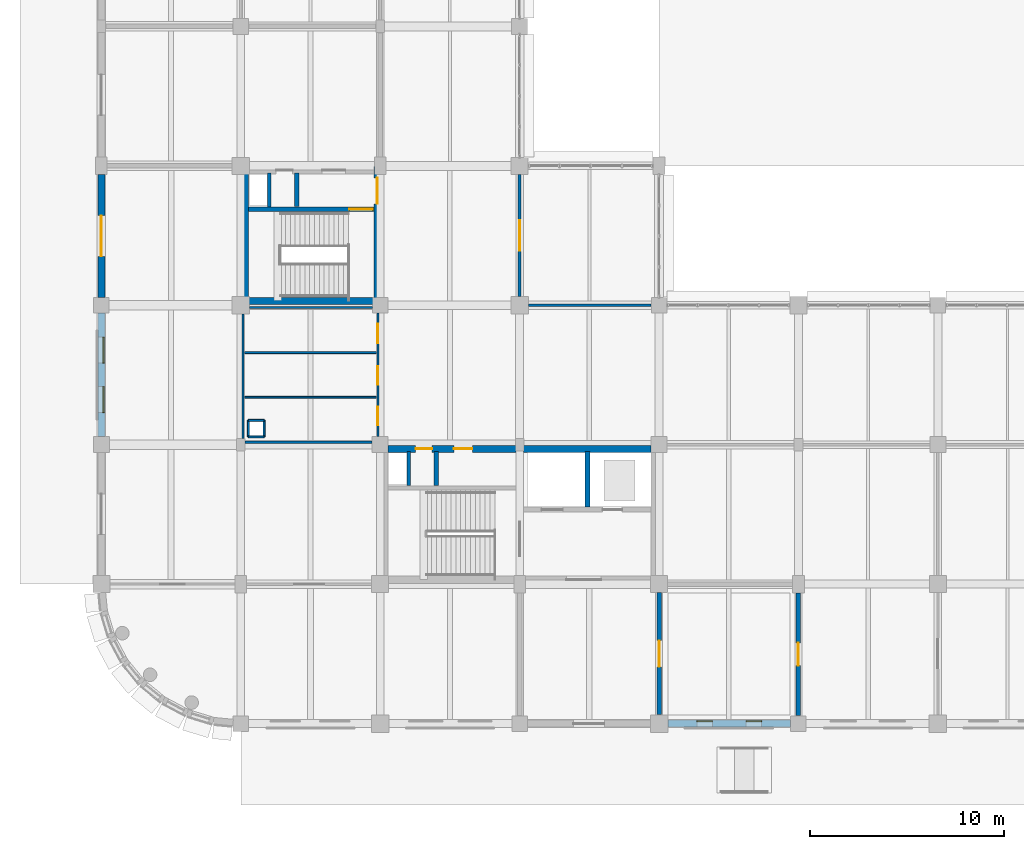
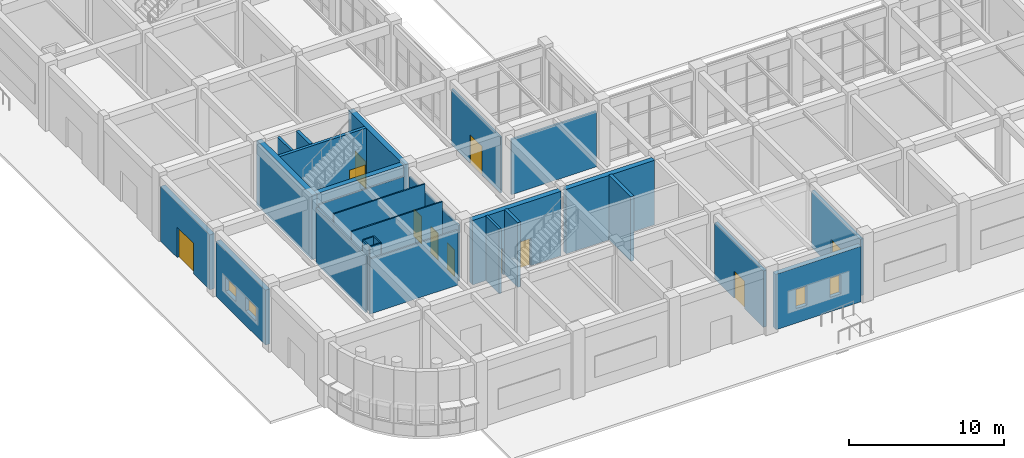
# One storey, part 134 of 160: 28 walls, 11 doors, 4 windows, 15 openings.
"""IFC4 building model written with IfcOpenShell, lengths in metres."""

from ifc_helpers import new_model, si_unit, direction, frame, frame_2d, origin, place, context, subcontext, project, spatial, rectangle, extrude, material, layer, layer_set, type_object, element, fill, save


model = new_model("IFC4")

# Units and contexts
model_context = context("Model", 3, precision=1e-05, world=origin(), true_north=direction((0.0, 1.0)))
body_context = subcontext(model_context, "Body", "Model", "MODEL_VIEW")
ifc_project = project(units=[si_unit("LENGTHUNIT", "METRE"), si_unit("AREAUNIT", "SQUARE_METRE"), si_unit("VOLUMEUNIT", "CUBIC_METRE"), si_unit("PLANEANGLEUNIT", "RADIAN"), si_unit("MASSUNIT", "GRAM", prefix="KILO")], contexts=[model_context])

# Site, building, storey
site_placement = place(None, origin())
site = spatial("IfcSite", under=ifc_project, at=site_placement, CompositionType="ELEMENT")
building_placement = place(site_placement, origin())
building = spatial("IfcBuilding", under=site, at=building_placement, Name="Thalmaran Polytechnic", CompositionType="ELEMENT")
storey_placement = place(building_placement, origin())
storey = spatial("IfcBuildingStorey", under=building, at=storey_placement, Name="L00", CompositionType="ELEMENT", Elevation=0.0)

# Wall, openings, windows
ifc_material_1 = material(Name="Precast concrete C40/50", Category="concrete")
ifc_layer_1 = layer(ifc_material_1, 0.360107421875, Name="Precast concrete C40/50")
ifc_layer_set_1 = layer_set([ifc_layer_1], Name="Precast concrete C40/50")
wall_type_1 = type_object("IfcWallType", Name="WL-EW01", PredefinedType="STANDARD", material=ifc_layer_set_1)
wall_1_placement = place(storey_placement, frame((0.0, 14.81005859375, 0.0), z_axis=(0.0, 0.0, 1.0), x_axis=(0.0, 1.0, 0.0)))
wall_1 = element("IfcWall", 1, at=wall_1_placement, inside=storey, type_object=wall_type_1, Name="Exterior Precast Facade Wall L00-003", PredefinedType="STANDARD", context=body_context, shape_type="SweptSolid", body=[
    extrude(rectangle(XDim=6.389892578125, YDim=0.360107421875, at=frame_2d((3.19482421875, 0.0))), origin(), (0.0, 0.0, 1.0), 4.3349609375),
])
opening_1_placement = place(wall_1_placement, frame((1.241943359375, 0.0, 1.14990234375)))
opening_1 = element("IfcOpeningElement", 2, at=opening_1_placement, cuts=wall_1, Name="Opening PW15", PredefinedType="OPENING", context=body_context, shape_type="SweptSolid", body=[
    extrude(rectangle(XDim=1.35009765625, YDim=1.10009765625, at=frame_2d((0.675048828125, 0.550048828125))), frame((0.0, 0.18994140625, 0.0), z_axis=(0.0, -1.0, 0.0), x_axis=(1.0, 0.0, 0.0)), (0.0, 0.0, 1.0), 0.380126953125),
])
opening_2_placement = place(wall_1_placement, frame((3.798095703125, 0.0, 1.14990234375)))
opening_2 = element("IfcOpeningElement", 3, at=opening_2_placement, cuts=wall_1, Name="Opening PW15", PredefinedType="OPENING", context=body_context, shape_type="SweptSolid", body=[
    extrude(rectangle(XDim=1.35009765625, YDim=1.10009765625, at=frame_2d((0.675048828125, 0.550048828125))), frame((0.0, 0.18994140625, 0.0), z_axis=(0.0, -1.0, 0.0), x_axis=(1.0, 0.0, 0.0)), (0.0, 0.0, 1.0), 0.380126953125),
])
ifc_material_2 = material(Name="Thermally broken aluminium and double low-E glass", Category="aluminium")
window_type_1 = type_object("IfcWindowType", Name="WN-PW05", PartitioningType="SINGLE_PANEL", PredefinedType="WINDOW", material=ifc_material_2)
window_1_placement = place(opening_1_placement, origin())
window_1 = element("IfcWindow", 4, at=window_1_placement, inside=storey, type_object=window_type_1, Name="Deep-Set Solar-Screened Window W-0001", OverallHeight=1.10009765625, OverallWidth=1.35009765625, PartitioningType="SINGLE_PANEL", PredefinedType="WINDOW", context=body_context, shape_type="SweptSolid", body=[
    extrude(rectangle(XDim=1.35009765625, YDim=1.10009765625, at=frame_2d((0.675048828125, 0.550048828125))), frame((0.0, -0.080078125, 0.0), z_axis=(0.0, -1.0, 0.0), x_axis=(1.0, 0.0, 0.0)), (0.0, 0.0, 1.0), 0.06005859375),
])
fill(opening_1, window_1)
window_2_placement = place(opening_2_placement, origin())
window_2 = element("IfcWindow", 5, at=window_2_placement, inside=storey, type_object=window_type_1, Name="Deep-Set Solar-Screened Window W-0002", OverallHeight=1.10009765625, OverallWidth=1.35009765625, PartitioningType="SINGLE_PANEL", PredefinedType="WINDOW", context=body_context, shape_type="SweptSolid", body=[
    extrude(rectangle(XDim=1.35009765625, YDim=1.10009765625, at=frame_2d((0.675048828125, 0.550048828125))), frame((0.0, -0.080078125, 0.0), z_axis=(0.0, -1.0, 0.0), x_axis=(1.0, 0.0, 0.0)), (0.0, 0.0, 1.0), 0.06005859375),
])
fill(opening_2, window_2)

# Wall, opening, door
wall_2_placement = place(storey_placement, frame((0.0, 22.0, 0.0), z_axis=(0.0, 0.0, 1.0), x_axis=(0.0, 1.0, 0.0)))
wall_2 = element("IfcWall", 6, at=wall_2_placement, inside=storey, type_object=wall_type_1, Name="Ground Entrance Portal Wall L00-004", PredefinedType="STANDARD", context=body_context, shape_type="SweptSolid", body=[
    extrude(rectangle(XDim=6.35009765625, YDim=0.360107421875, at=frame_2d((3.175048828125, 0.0))), origin(), (0.0, 0.0, 1.0), 4.3349609375),
])
opening_3_placement = place(wall_2_placement, frame((2.125, 0.0, 0.0)))
opening_3 = element("IfcOpeningElement", 7, at=opening_3_placement, cuts=wall_2, Name="Opening ED-02", PredefinedType="OPENING", context=body_context, shape_type="SweptSolid", body=[
    extrude(rectangle(XDim=2.10009765625, YDim=2.39990234375, at=frame_2d((1.050048828125, 1.199951171875))), frame((0.0, 0.18994140625, 0.0), z_axis=(0.0, -1.0, 0.0), x_axis=(1.0, 0.0, 0.0)), (0.0, 0.0, 1.0), 0.380126953125),
])
ifc_material_3 = material(Name="Anodised aluminium and safety glass", Category="aluminium")
door_type_1 = type_object("IfcDoorType", Name="DR-ED01", OperationType="NOTDEFINED", PredefinedType="DOOR", material=ifc_material_3)
door_1_placement = place(opening_3_placement, origin())
door_1 = element("IfcDoor", 8, at=door_1_placement, inside=storey, type_object=door_type_1, Name="Pedestrian Final Exit Door ED-02", OperationType="DOUBLE_DOOR_SINGLE_SWING", OverallHeight=2.39990234375, OverallWidth=2.10009765625, PredefinedType="DOOR", context=body_context, shape_type="SweptSolid", body=[
    extrude(rectangle(XDim=2.10009765625, YDim=2.39990234375, at=frame_2d((1.050048828125, 1.199951171875))), frame((0.0, 0.02490234375, 0.0), z_axis=(0.0, -1.0, 0.0), x_axis=(1.0, 0.0, 0.0)), (0.0, 0.0, 1.0), 0.050048828125),
])
fill(opening_3, door_1)

# Wall, openings, windows
wall_3_placement = place(storey_placement, frame((35.60009765625, 0.0, 0.0), z_axis=(0.0, 0.0, 1.0), x_axis=(-1.0, 0.0, 0.0)))
wall_3 = element("IfcWall", 9, at=wall_3_placement, inside=storey, type_object=wall_type_1, Name="Exterior Precast Facade Wall L00-088", PredefinedType="STANDARD", context=body_context, shape_type="SweptSolid", body=[
    extrude(rectangle(XDim=6.35009765625, YDim=0.360107421875, at=frame_2d((3.175048828125, 0.0))), origin(), (0.0, 0.0, 1.0), 4.3701171875),
])
opening_4_placement = place(wall_3_placement, frame((1.5048828125, 0.0, 1.14990234375)))
opening_4 = element("IfcOpeningElement", 10, at=opening_4_placement, cuts=wall_3, Name="Opening PW16", PredefinedType="OPENING", context=body_context, shape_type="SweptSolid", body=[
    extrude(rectangle(XDim=0.800048828125, YDim=1.5, at=frame_2d((0.39990234375, 0.75))), frame((0.0, 0.18994140625, 0.0), z_axis=(0.0, -1.0, 0.0), x_axis=(1.0, 0.0, 0.0)), (0.0, 0.0, 1.0), 0.380126953125),
])
opening_5_placement = place(wall_3_placement, frame((4.044921875, 0.0, 1.14990234375)))
opening_5 = element("IfcOpeningElement", 11, at=opening_5_placement, cuts=wall_3, Name="Opening PW16", PredefinedType="OPENING", context=body_context, shape_type="SweptSolid", body=[
    extrude(rectangle(XDim=0.800048828125, YDim=1.5, at=frame_2d((0.39990234375, 0.75))), frame((0.0, 0.18994140625, 0.0), z_axis=(0.0, -1.0, 0.0), x_axis=(1.0, 0.0, 0.0)), (0.0, 0.0, 1.0), 0.380126953125),
])
window_type_2 = type_object("IfcWindowType", Name="WN-PW06", PartitioningType="SINGLE_PANEL", PredefinedType="WINDOW", material=ifc_material_2)
window_3_placement = place(opening_4_placement, origin())
window_3 = element("IfcWindow", 12, at=window_3_placement, inside=storey, type_object=window_type_2, Name="Deep-Set Solar-Screened Window W-0054", OverallHeight=1.5, OverallWidth=0.800048828125, PartitioningType="SINGLE_PANEL", PredefinedType="WINDOW", context=body_context, shape_type="SweptSolid", body=[
    extrude(rectangle(XDim=0.800048828125, YDim=1.5, at=frame_2d((0.39990234375, 0.75))), frame((0.0, -0.080078125, 0.0), z_axis=(0.0, -1.0, 0.0), x_axis=(1.0, 0.0, 0.0)), (0.0, 0.0, 1.0), 0.06005859375),
])
fill(opening_4, window_3)
window_4_placement = place(opening_5_placement, origin())
window_4 = element("IfcWindow", 13, at=window_4_placement, inside=storey, type_object=window_type_2, Name="Deep-Set Solar-Screened Window W-0055", OverallHeight=1.5, OverallWidth=0.800048828125, PartitioningType="SINGLE_PANEL", PredefinedType="WINDOW", context=body_context, shape_type="SweptSolid", body=[
    extrude(rectangle(XDim=0.800048828125, YDim=1.5, at=frame_2d((0.39990234375, 0.75))), frame((0.0, -0.080078125, 0.0), z_axis=(0.0, -1.0, 0.0), x_axis=(1.0, 0.0, 0.0)), (0.0, 0.0, 1.0), 0.06005859375),
])
fill(opening_5, window_4)

# Walls
ifc_material_4 = material(Name="Autoclaved aerated masonry", Category="masonry")
ifc_layer_2 = layer(ifc_material_4, 0.25, Name="Autoclaved aerated masonry")
ifc_layer_set_2 = layer_set([ifc_layer_2], Name="Autoclaved aerated masonry")
wall_type_2 = type_object("IfcWallType", Name="WL-IW01", PredefinedType="PARTITIONING", material=ifc_layer_set_2)
wall_4_placement = place(storey_placement, frame((25.10009765625, 11.179931640625, 0.0), z_axis=(0.0, 0.0, 1.0), x_axis=(0.0, 1.0, 0.0)))
element("IfcWall", 14, at=wall_4_placement, inside=storey, type_object=wall_type_2, Name="Core C1 Shaft Dividing Wall L00", PredefinedType="PARTITIONING", context=body_context, shape_type="SweptSolid", body=[
    extrude(rectangle(XDim=2.8701171875, YDim=0.25, at=frame_2d((1.43505859375, 0.0))), origin(), (0.0, 0.0, 1.0), 5.090087890625),
])
ifc_layer_3 = layer(ifc_material_4, 0.22998046875, Name="Autoclaved aerated masonry")
ifc_layer_set_3 = layer_set([ifc_layer_3], Name="Autoclaved aerated masonry")
wall_type_3 = type_object("IfcWallType", Name="WL-IW02", PredefinedType="PARTITIONING", material=ifc_layer_set_3)
for number, where, z_axis, x_axis, name in (
    (15, (17.300048828125, 12.300048828125, 0.0), (0.0, 0.0, 1.0), (0.0, 1.0, 0.0), "Core C1 Riser Partition L00"),
    (16, (10.10009765625, 26.699951171875, 0.0), (0.0, 0.0, 1.0), (0.0, 1.0, 0.0), "Core C3 Riser Partition L00"),
):
    element("IfcWall", number, at=place(storey_placement, frame(where, z_axis=z_axis, x_axis=x_axis)), inside=storey, type_object=wall_type_3, Name=name, PredefinedType="PARTITIONING", context=body_context, shape_type="SweptSolid", body=[
        extrude(rectangle(XDim=1.739990234375, YDim=0.22998046875, at=frame_2d((0.8701171875, 0.0))), origin(), (0.0, 0.0, 1.0), 5.090087890625),
    ])

# Wall, opening, door
wall_5_placement = place(storey_placement, frame((28.800048828125, 0.455078125, 0.0), z_axis=(0.0, 0.0, 1.0), x_axis=(0.0, 1.0, 0.0)))
wall_5 = element("IfcWall", 17, at=wall_5_placement, inside=storey, type_object=wall_type_3, Name="Interior Partition IW02 L00-037", PredefinedType="PARTITIONING", context=body_context, shape_type="SweptSolid", body=[
    extrude(rectangle(XDim=6.2998046875, YDim=0.22998046875, at=frame_2d((3.14990234375, 0.0))), origin(), (0.0, 0.0, 1.0), 4.455078125),
])
opening_6_placement = place(wall_5_placement, frame((2.47509765625, 0.0, 0.0)))
opening_6 = element("IfcOpeningElement", 18, at=opening_6_placement, cuts=wall_5, Name="Opening D-L00-001--FCC-1", PredefinedType="OPENING", context=body_context, shape_type="SweptSolid", body=[
    extrude(rectangle(XDim=1.35009765625, YDim=2.14990234375, at=frame_2d((0.675048828125, 1.074951171875))), frame((0.0, 0.125, 0.0), z_axis=(0.0, -1.0, 0.0), x_axis=(1.0, 0.0, 0.0)), (0.0, 0.0, 1.0), 0.25),
])
ifc_material_5 = material(Name="Powder-coated fire-rated steel", Category="steel")
door_type_2 = type_object("IfcDoorType", Name="DR-FD06", OperationType="NOTDEFINED", PredefinedType="DOOR", material=ifc_material_5)
door_2_placement = place(opening_6_placement, origin())
door_2 = element("IfcDoor", 19, at=door_2_placement, inside=storey, type_object=door_type_2, Name="Fire Command Room Door 1", OperationType="SINGLE_SWING_RIGHT", OverallHeight=2.14990234375, OverallWidth=1.35009765625, PredefinedType="DOOR", context=body_context, shape_type="SweptSolid", body=[
    extrude(rectangle(XDim=1.35009765625, YDim=2.14990234375, at=frame_2d((0.675048828125, 1.074951171875))), frame((0.0, 0.02490234375, 0.0), z_axis=(0.0, -1.0, 0.0), x_axis=(1.0, 0.0, 0.0)), (0.0, 0.0, 1.0), 0.050048828125),
])
fill(opening_6, door_2)

wall_6_placement = place(storey_placement, frame((36.0, 0.405029296875, 0.0), z_axis=(0.0, 0.0, 1.0), x_axis=(0.0, 1.0, 0.0)))
wall_6 = element("IfcWall", 20, at=wall_6_placement, inside=storey, type_object=wall_type_3, Name="Interior Partition IW02 L00-044", PredefinedType="PARTITIONING", context=body_context, shape_type="SweptSolid", body=[
    extrude(rectangle(XDim=6.340087890625, YDim=0.22998046875, at=frame_2d((3.169921875, 0.0))), origin(), (0.0, 0.0, 1.0), 4.455078125),
])
opening_7_placement = place(wall_6_placement, frame((2.580078125, 0.0, 0.0)))
opening_7 = element("IfcOpeningElement", 21, at=opening_7_placement, cuts=wall_6, Name="Opening D-L00-023-1-10-1", PredefinedType="OPENING", context=body_context, shape_type="SweptSolid", body=[
    extrude(rectangle(XDim=1.179931640625, YDim=2.179931640625, at=frame_2d((0.58984375, 1.08984375))), frame((0.0, 0.125, 0.0), z_axis=(0.0, -1.0, 0.0), x_axis=(1.0, 0.0, 0.0)), (0.0, 0.0, 1.0), 0.25),
])
ifc_material_6 = material(Name="Acoustic hardwood", Category="wood")
door_type_3 = type_object("IfcDoorType", Name="DR-ZD05", OperationType="NOTDEFINED", PredefinedType="DOOR", material=ifc_material_6)
door_3_placement = place(opening_7_placement, origin())
door_3 = element("IfcDoor", 22, at=door_3_placement, inside=storey, type_object=door_type_3, Name="Architecture Design Studio L00-10 Door 1", OperationType="SINGLE_SWING_RIGHT", OverallHeight=2.179931640625, OverallWidth=1.179931640625, PredefinedType="DOOR", context=body_context, shape_type="SweptSolid", body=[
    extrude(rectangle(XDim=1.179931640625, YDim=2.179931640625, at=frame_2d((0.58984375, 1.08984375))), frame((0.0, 0.02490234375, 0.0), z_axis=(0.0, -1.0, 0.0), x_axis=(1.0, 0.0, 0.0)), (0.0, 0.0, 1.0), 0.050048828125),
])
fill(opening_7, door_3)

# Walls
ifc_layer_4 = layer(ifc_material_4, 0.179931640625, Name="Autoclaved aerated masonry")
ifc_layer_set_4 = layer_set([ifc_layer_4], Name="Autoclaved aerated masonry")
wall_type_4 = type_object("IfcWallType", Name="WL-IW04", PredefinedType="PARTITIONING", material=ifc_layer_set_4)
for number, where, z_axis, x_axis, name in (
    (23, (15.8798828125, 12.280029296875, 0.0), (0.0, 0.0, 1.0), (0.0, 1.0, 0.0), "Core C1 Riser Shaft Enclosure Wall L00"),
    (24, (8.679931640625, 26.679931640625, 0.0), (0.0, 0.0, 1.0), (0.0, 1.0, 0.0), "Core C3 Riser Shaft Enclosure Wall L00"),
):
    element("IfcWall", number, at=place(storey_placement, frame(where, z_axis=z_axis, x_axis=x_axis)), inside=storey, type_object=wall_type_4, Name=name, PredefinedType="PARTITIONING", context=body_context, shape_type="SweptSolid", body=[
        extrude(rectangle(XDim=1.760009765625, YDim=0.179931640625, at=frame_2d((0.8798828125, 0.0))), origin(), (0.0, 0.0, 1.0), 5.090087890625),
    ])

# Wall, opening, door
ifc_material_7 = material(Name="Gypsum acoustic partition")
ifc_layer_5 = layer(ifc_material_7, 0.14501953125, Name="Gypsum acoustic partition")
ifc_layer_set_5 = layer_set([ifc_layer_5], Name="Gypsum acoustic partition")
wall_type_5 = type_object("IfcWallType", Name="WL-IW06", PredefinedType="PARTITIONING", material=ifc_layer_set_5)
wall_7_placement = place(storey_placement, frame((21.60009765625, 22.054931640625, 0.0), z_axis=(0.0, 0.0, 1.0), x_axis=(0.0, 1.0, 0.0)))
wall_7 = element("IfcWall", 25, at=wall_7_placement, inside=storey, type_object=wall_type_5, Name="Interior Partition IW06 L00-031", PredefinedType="PARTITIONING", context=body_context, shape_type="SweptSolid", body=[
    extrude(rectangle(XDim=6.300048828125, YDim=0.14501953125, at=frame_2d((3.14990234375, 0.0))), origin(), (0.0, 0.0, 1.0), 4.39990234375),
])
opening_8_placement = place(wall_7_placement, frame((2.3701171875, 0.0, 0.0)))
opening_8 = element("IfcOpeningElement", 26, at=opening_8_placement, cuts=wall_7, Name="Opening D-L00-021-1-08-1", PredefinedType="OPENING", context=body_context, shape_type="SweptSolid", body=[
    extrude(rectangle(XDim=1.56005859375, YDim=2.25, at=frame_2d((0.780029296875, 1.125))), frame((0.0, 0.08251953125, 0.0), z_axis=(0.0, -1.0, 0.0), x_axis=(1.0, 0.0, 0.0)), (0.0, 0.0, 1.0), 0.1650390625),
])
ifc_material_8 = material(Name="Acoustic hardwood and vision glass", Category="wood")
door_type_4 = type_object("IfcDoorType", Name="DR-ZD03", OperationType="NOTDEFINED", PredefinedType="DOOR", material=ifc_material_8)
door_4_placement = place(opening_8_placement, origin())
door_4 = element("IfcDoor", 27, at=door_4_placement, inside=storey, type_object=door_type_4, Name="Academic Department Suite L00-08 Door 1", OperationType="SINGLE_SWING_RIGHT", OverallHeight=2.25, OverallWidth=1.56005859375, PredefinedType="DOOR", context=body_context, shape_type="SweptSolid", body=[
    extrude(rectangle(XDim=1.56005859375, YDim=2.25, at=frame_2d((0.780029296875, 1.125))), frame((0.0, 0.02490234375, 0.0), z_axis=(0.0, -1.0, 0.0), x_axis=(1.0, 0.0, 0.0)), (0.0, 0.0, 1.0), 0.050048828125),
])
fill(opening_8, door_4)

# Walls
wall_8_placement = place(storey_placement, frame((22.054931640625, 21.60009765625, 0.0), z_axis=(0.0, 0.0, 1.0), x_axis=(1.0, 0.0, 0.0)))
element("IfcWall", 28, at=wall_8_placement, inside=storey, type_object=wall_type_5, Name="Interior Partition IW06 L00-038", PredefinedType="PARTITIONING", context=body_context, shape_type="SweptSolid", body=[
    extrude(rectangle(XDim=6.340087890625, YDim=0.14501953125, at=frame_2d((3.169921875, 0.0))), origin(), (0.0, 0.0, 1.0), 4.364990234375),
])
ifc_layer_6 = layer(ifc_material_7, 0.114990234375, Name="Gypsum acoustic partition")
ifc_layer_set_6 = layer_set([ifc_layer_6], Name="Gypsum acoustic partition")
wall_type_6 = type_object("IfcWallType", Name="WL-IW08", PredefinedType="PARTITIONING", material=ifc_layer_set_6)
wall_9_placement = place(storey_placement, frame((7.429931640625, 14.52001953125, 0.0), z_axis=(0.0, 0.0, 1.0), x_axis=(1.0, 0.0, 0.0)))
element("IfcWall", 29, at=wall_9_placement, inside=storey, type_object=wall_type_6, Name="Sanitary Core Wall L00-W1-S", PredefinedType="PARTITIONING", context=body_context, shape_type="SweptSolid", body=[
    extrude(rectangle(XDim=6.55517578125, YDim=0.114990234375, at=frame_2d((3.277587890625, 0.0))), origin(), (0.0, 0.0, 1.0), 4.340087890625),
])
wall_10_placement = place(storey_placement, frame((7.655029296875, 21.47998046875, 0.0), z_axis=(0.0, 0.0, 1.0), x_axis=(1.0, 0.0, 0.0)))
element("IfcWall", 30, at=wall_10_placement, inside=storey, type_object=wall_type_6, Name="Sanitary Core Wall L00-W1-N", PredefinedType="PARTITIONING", context=body_context, shape_type="SweptSolid", body=[
    extrude(rectangle(XDim=6.340087890625, YDim=0.114990234375, at=frame_2d((3.169921875, 0.0))), origin(), (0.0, 0.0, 1.0), 4.340087890625),
])
wall_11_placement = place(storey_placement, frame((7.320068359375, 14.72998046875, 0.0), z_axis=(0.0, 0.0, 1.0), x_axis=(0.0, 1.0, 0.0)))
element("IfcWall", 31, at=wall_11_placement, inside=storey, type_object=wall_type_6, Name="Sanitary Side Wall L00-W1-W", PredefinedType="PARTITIONING", context=body_context, shape_type="SweptSolid", body=[
    extrude(rectangle(XDim=6.4150390625, YDim=0.114990234375, at=frame_2d((3.20751953125, 0.0))), origin(), (0.0, 0.0, 1.0), 4.405029296875),
])

# Wall, openings, doors
wall_12_placement = place(storey_placement, frame((14.280029296875, 14.81494140625, 0.0), z_axis=(0.0, 0.0, 1.0), x_axis=(0.0, 1.0, 0.0)))
wall_12 = element("IfcWall", 32, at=wall_12_placement, inside=storey, type_object=wall_type_6, Name="Sanitary Side Wall L00-W1-E", PredefinedType="PARTITIONING", context=body_context, shape_type="SweptSolid", body=[
    extrude(rectangle(XDim=6.380126953125, YDim=0.114990234375, at=frame_2d((3.18994140625, 0.0))), origin(), (0.0, 0.0, 1.0), 4.405029296875),
])
opening_9_placement = place(wall_12_placement, frame((0.5849609375, 0.0, 0.0)))
opening_9 = element("IfcOpeningElement", 33, at=opening_9_placement, cuts=wall_12, Name="Opening WD-L00-W1-1", PredefinedType="OPENING", context=body_context, shape_type="SweptSolid", body=[
    extrude(rectangle(XDim=0.949951171875, YDim=2.10009765625, at=frame_2d((0.47509765625, 1.050048828125))), frame((0.0, 0.0673828125, 0.0), z_axis=(0.0, -1.0, 0.0), x_axis=(1.0, 0.0, 0.0)), (0.0, 0.0, 1.0), 0.135009765625),
])
opening_10_placement = place(wall_12_placement, frame((2.68505859375, 0.0, 0.0)))
opening_10 = element("IfcOpeningElement", 34, at=opening_10_placement, cuts=wall_12, Name="Opening WD-L00-W1-2", PredefinedType="OPENING", context=body_context, shape_type="SweptSolid", body=[
    extrude(rectangle(XDim=0.949951171875, YDim=2.10009765625, at=frame_2d((0.47509765625, 1.050048828125))), frame((0.0, 0.0673828125, 0.0), z_axis=(0.0, -1.0, 0.0), x_axis=(1.0, 0.0, 0.0)), (0.0, 0.0, 1.0), 0.135009765625),
])
opening_11_placement = place(wall_12_placement, frame((4.8349609375, 0.0, 0.0)))
opening_11 = element("IfcOpeningElement", 35, at=opening_11_placement, cuts=wall_12, Name="Opening WD-L00-W1-3", PredefinedType="OPENING", context=body_context, shape_type="SweptSolid", body=[
    extrude(rectangle(XDim=1.0, YDim=2.14990234375, at=frame_2d((0.5, 1.074951171875))), frame((0.0, 0.0673828125, 0.0), z_axis=(0.0, -1.0, 0.0), x_axis=(1.0, 0.0, 0.0)), (0.0, 0.0, 1.0), 0.135009765625),
])
door_type_5 = type_object("IfcDoorType", Name="DR-ID06", OperationType="NOTDEFINED", PredefinedType="DOOR", material=ifc_material_6)
door_5_placement = place(opening_11_placement, origin())
door_5 = element("IfcDoor", 36, at=door_5_placement, inside=storey, type_object=door_type_5, Name="Accessible WC Door L00-W1", OperationType="SINGLE_SWING_LEFT", OverallHeight=2.14990234375, OverallWidth=1.0, PredefinedType="DOOR", context=body_context, shape_type="SweptSolid", body=[
    extrude(rectangle(XDim=1.0, YDim=2.14990234375, at=frame_2d((0.5, 1.074951171875))), frame((0.0, 0.02490234375, 0.0), z_axis=(0.0, -1.0, 0.0), x_axis=(1.0, 0.0, 0.0)), (0.0, 0.0, 1.0), 0.050048828125),
])
fill(opening_11, door_5)
ifc_material_9 = material(Name="Moisture-resistant laminate timber", Category="wood")
door_type_6 = type_object("IfcDoorType", Name="DR-ID07", OperationType="NOTDEFINED", PredefinedType="DOOR", material=ifc_material_9)
door_6_placement = place(opening_9_placement, origin())
door_6 = element("IfcDoor", 37, at=door_6_placement, inside=storey, type_object=door_type_6, Name="Male WC Door L00-W1", OperationType="SINGLE_SWING_LEFT", OverallHeight=2.10009765625, OverallWidth=0.949951171875, PredefinedType="DOOR", context=body_context, shape_type="SweptSolid", body=[
    extrude(rectangle(XDim=0.949951171875, YDim=2.10009765625, at=frame_2d((0.47509765625, 1.050048828125))), frame((0.0, 0.02490234375, 0.0), z_axis=(0.0, -1.0, 0.0), x_axis=(1.0, 0.0, 0.0)), (0.0, 0.0, 1.0), 0.050048828125),
])
fill(opening_9, door_6)
door_7_placement = place(opening_10_placement, origin())
door_7 = element("IfcDoor", 38, at=door_7_placement, inside=storey, type_object=door_type_6, Name="Female WC Door L00-W1", OperationType="SINGLE_SWING_RIGHT", OverallHeight=2.10009765625, OverallWidth=0.949951171875, PredefinedType="DOOR", context=body_context, shape_type="SweptSolid", body=[
    extrude(rectangle(XDim=0.949951171875, YDim=2.10009765625, at=frame_2d((0.47509765625, 1.050048828125))), frame((0.0, 0.02490234375, 0.0), z_axis=(0.0, -1.0, 0.0), x_axis=(1.0, 0.0, 0.0)), (0.0, 0.0, 1.0), 0.050048828125),
])
fill(opening_10, door_7)

# Walls
ifc_material_10 = material(Name="Moisture-resistant partition")
ifc_layer_7 = layer(ifc_material_10, 0.10009765625, Name="Moisture-resistant partition")
ifc_layer_set_7 = layer_set([ifc_layer_7], Name="Moisture-resistant partition")
wall_type_7 = type_object("IfcWallType", Name="WL-IW09", PredefinedType="PARTITIONING", material=ifc_layer_set_7)
for number, where, z_axis, x_axis, name in (
    (39, (7.39990234375, 16.85009765625, 0.0), (0.0, 0.0, 1.0), (1.0, 0.0, 0.0), "WC Partition L00-W1-1"),
    (40, (7.39990234375, 19.14990234375, 0.0), (0.0, 0.0, 1.0), (1.0, 0.0, 0.0), "WC Partition L00-W1-2"),
):
    element("IfcWall", number, at=place(storey_placement, frame(where, z_axis=z_axis, x_axis=x_axis)), inside=storey, type_object=wall_type_7, Name=name, PredefinedType="PARTITIONING", context=body_context, shape_type="SweptSolid", body=[
        extrude(rectangle(XDim=6.800048828125, YDim=0.10009765625, at=frame_2d((3.39990234375, 0.0))), origin(), (0.0, 0.0, 1.0), 5.090087890625),
    ])
wall_13_placement = place(storey_placement, frame((7.590087890625, 14.800048828125, 0.0), z_axis=(0.0, 0.0, 1.0), x_axis=(1.0, 0.0, 0.0)))
element("IfcWall", 41, at=wall_13_placement, inside=storey, type_object=wall_type_7, Name="Plumbing Riser Chase Wall L00-W1-S", PredefinedType="PARTITIONING", context=body_context, shape_type="SweptSolid", body=[
    extrude(rectangle(XDim=0.81982421875, YDim=0.10009765625, at=frame_2d((0.409912109375, 0.0))), origin(), (0.0, 0.0, 1.0), 5.090087890625),
])
wall_14_placement = place(storey_placement, frame((8.409912109375, 14.800048828125, 0.0), z_axis=(0.0, 0.0, 1.0), x_axis=(0.0, 1.0, 0.0)))
element("IfcWall", 42, at=wall_14_placement, inside=storey, type_object=wall_type_7, Name="Plumbing Riser Chase Wall L00-W1-E", PredefinedType="PARTITIONING", context=body_context, shape_type="SweptSolid", body=[
    extrude(rectangle(XDim=0.85986328125, YDim=0.10009765625, at=frame_2d((0.429931640625, 0.0))), origin(), (0.0, 0.0, 1.0), 5.090087890625),
])
wall_15_placement = place(storey_placement, frame((8.409912109375, 15.659912109375, 0.0), z_axis=(0.0, 0.0, 1.0), x_axis=(-1.0, 0.0, 0.0)))
element("IfcWall", 43, at=wall_15_placement, inside=storey, type_object=wall_type_7, Name="Plumbing Riser Chase Wall L00-W1-N", PredefinedType="PARTITIONING", context=body_context, shape_type="SweptSolid", body=[
    extrude(rectangle(XDim=0.81982421875, YDim=0.10009765625, at=frame_2d((0.409912109375, 0.0))), origin(), (0.0, 0.0, 1.0), 5.090087890625),
])
wall_16_placement = place(storey_placement, frame((7.590087890625, 15.659912109375, 0.0), z_axis=(0.0, 0.0, 1.0), x_axis=(0.0, -1.0, 0.0)))
element("IfcWall", 44, at=wall_16_placement, inside=storey, type_object=wall_type_7, Name="Plumbing Riser Chase Wall L00-W1-W", PredefinedType="PARTITIONING", context=body_context, shape_type="SweptSolid", body=[
    extrude(rectangle(XDim=0.85986328125, YDim=0.10009765625, at=frame_2d((0.429931640625, 0.0))), origin(), (0.0, 0.0, 1.0), 5.090087890625),
])

# Wall, openings, doors
ifc_material_11 = material(Name="Concrete C50/60", Category="concrete")
ifc_layer_8 = layer(ifc_material_11, 0.3798828125, Name="Concrete C50/60")
ifc_layer_set_8 = layer_set([ifc_layer_8], Name="Concrete C50/60")
wall_type_8 = type_object("IfcWallType", Name="WL-SW02", PredefinedType="SHEAR", material=ifc_layer_set_8)
wall_17_placement = place(storey_placement, frame((14.81005859375, 14.179931640625, 0.0), z_axis=(0.0, 0.0, 1.0), x_axis=(1.0, 0.0, 0.0)))
wall_17 = element("IfcWall", 45, at=wall_17_placement, inside=storey, type_object=wall_type_8, Name="Core C1 North Shear Wall L00", PredefinedType="SHEAR", context=body_context, shape_type="SweptSolid", body=[
    extrude(rectangle(XDim=6.599853515625, YDim=0.3798828125, at=frame_2d((3.2998046875, 0.0))), origin(), (0.0, 0.0, 1.0), 5.090087890625),
])
opening_12_placement = place(wall_17_placement, frame((1.419921875, 0.0, 0.0)))
opening_12 = element("IfcOpeningElement", 46, at=opening_12_placement, cuts=wall_17, Name="Opening DR-C1-L00-R", PredefinedType="OPENING", context=body_context, shape_type="SweptSolid", body=[
    extrude(rectangle(XDim=0.85009765625, YDim=2.10009765625, at=frame_2d((0.425048828125, 1.050048828125))), frame((0.0, 0.199951171875, 0.0), z_axis=(0.0, -1.0, 0.0), x_axis=(1.0, 0.0, 0.0)), (0.0, 0.0, 1.0), 0.39990234375),
])
opening_13_placement = place(wall_17_placement, frame((3.39990234375, 0.0, 0.0)))
opening_13 = element("IfcOpeningElement", 47, at=opening_13_placement, cuts=wall_17, Name="Opening ED-C1-L00-E", PredefinedType="OPENING", context=body_context, shape_type="SweptSolid", body=[
    extrude(rectangle(XDim=0.949951171875, YDim=2.14990234375, at=frame_2d((0.47509765625, 1.074951171875))), frame((0.0, 0.199951171875, 0.0), z_axis=(0.0, -1.0, 0.0), x_axis=(1.0, 0.0, 0.0)), (0.0, 0.0, 1.0), 0.39990234375),
])
door_type_7 = type_object("IfcDoorType", Name="DR-FD08", OperationType="NOTDEFINED", PredefinedType="DOOR", material=ifc_material_5)
door_8_placement = place(opening_13_placement, origin())
door_8 = element("IfcDoor", 48, at=door_8_placement, inside=storey, type_object=door_type_7, Name="Electrical Riser Door C1 L00", OperationType="SINGLE_SWING_RIGHT", OverallHeight=2.14990234375, OverallWidth=0.949951171875, PredefinedType="DOOR", context=body_context, shape_type="SweptSolid", body=[
    extrude(rectangle(XDim=0.949951171875, YDim=2.14990234375, at=frame_2d((0.47509765625, 1.074951171875))), frame((0.0, 0.02490234375, 0.0), z_axis=(0.0, -1.0, 0.0), x_axis=(1.0, 0.0, 0.0)), (0.0, 0.0, 1.0), 0.050048828125),
])
fill(opening_13, door_8)
door_type_8 = type_object("IfcDoorType", Name="DR-FD09", OperationType="NOTDEFINED", PredefinedType="DOOR", material=ifc_material_5)
door_9_placement = place(opening_12_placement, origin())
door_9 = element("IfcDoor", 49, at=door_9_placement, inside=storey, type_object=door_type_8, Name="Riser Access Fire Door C1 L00", OperationType="SINGLE_SWING_RIGHT", OverallHeight=2.10009765625, OverallWidth=0.85009765625, PredefinedType="DOOR", context=body_context, shape_type="SweptSolid", body=[
    extrude(rectangle(XDim=0.85009765625, YDim=2.10009765625, at=frame_2d((0.425048828125, 1.050048828125))), frame((0.0, 0.02490234375, 0.0), z_axis=(0.0, -1.0, 0.0), x_axis=(1.0, 0.0, 0.0)), (0.0, 0.0, 1.0), 0.050048828125),
])
fill(opening_12, door_9)

# Walls
wall_18_placement = place(storey_placement, frame((21.7900390625, 14.179931640625, 0.0), z_axis=(0.0, 0.0, 1.0), x_axis=(1.0, 0.0, 0.0)))
element("IfcWall", 50, at=wall_18_placement, inside=storey, type_object=wall_type_8, Name="Core C1 Lift Shaft Back Shear Wall L00", PredefinedType="SHEAR", context=body_context, shape_type="SweptSolid", body=[
    extrude(rectangle(XDim=6.599853515625, YDim=0.3798828125, at=frame_2d((3.2998046875, 0.0))), origin(), (0.0, 0.0, 1.0), 5.090087890625),
])
wall_19_placement = place(storey_placement, frame((7.610107421875, 21.820068359375, 0.0), z_axis=(0.0, 0.0, 1.0), x_axis=(1.0, 0.0, 0.0)))
element("IfcWall", 51, at=wall_19_placement, inside=storey, type_object=wall_type_8, Name="Core C3 South Shear Wall L00", PredefinedType="SHEAR", context=body_context, shape_type="SweptSolid", body=[
    extrude(rectangle(XDim=6.4599609375, YDim=0.3798828125, at=frame_2d((3.22998046875, 0.0))), origin(), (0.0, 0.0, 1.0), 5.090087890625),
])
wall_20_placement = place(storey_placement, frame((7.419921875, 28.77001953125, 0.0), z_axis=(0.0, 0.0, 1.0), x_axis=(0.0, -1.0, 0.0)))
element("IfcWall", 52, at=wall_20_placement, inside=storey, type_object=wall_type_8, Name="Core C3 West Shear Wall L00", PredefinedType="SHEAR", context=body_context, shape_type="SweptSolid", body=[
    extrude(rectangle(XDim=7.14013671875, YDim=0.3798828125, at=frame_2d((3.570068359375, 0.0))), origin(), (0.0, 0.0, 1.0), 5.090087890625),
])

# Wall, opening, door
wall_21_placement = place(storey_placement, frame((7.610107421875, 26.56005859375, 0.0), z_axis=(0.0, 0.0, 1.0), x_axis=(1.0, 0.0, 0.0)))
wall_21 = element("IfcWall", 53, at=wall_21_placement, inside=storey, type_object=wall_type_8, Name="Core C3 Stair Partition L00", PredefinedType="SHEAR", context=body_context, shape_type="SweptSolid", body=[
    extrude(rectangle(XDim=6.4599609375, YDim=0.219970703125, at=frame_2d((3.22998046875, 0.0))), origin(), (0.0, 0.0, 1.0), 5.090087890625),
])
opening_14_placement = place(wall_21_placement, frame((5.199951171875, 0.0, 0.0)))
opening_14 = element("IfcOpeningElement", 54, at=opening_14_placement, cuts=wall_21, Name="Opening SD-ST3-L00", PredefinedType="OPENING", context=body_context, shape_type="SweptSolid", body=[
    extrude(rectangle(XDim=1.199951171875, YDim=2.199951171875, at=frame_2d((0.60009765625, 1.10009765625))), frame((0.0, 0.119873046875, 0.0), z_axis=(0.0, -1.0, 0.0), x_axis=(1.0, 0.0, 0.0)), (0.0, 0.0, 1.0), 0.239990234375),
])
door_type_9 = type_object("IfcDoorType", Name="DR-FD04", OperationType="NOTDEFINED", PredefinedType="DOOR", material=ifc_material_5)
door_10_placement = place(opening_14_placement, frame((1.199951171875, 0.0, 0.0), z_axis=(0.0, 0.0, 1.0), x_axis=(-1.0, 0.0, 0.0)))
door_10 = element("IfcDoor", 55, at=door_10_placement, inside=storey, type_object=door_type_9, Name="Exit Stair Fire Door ST3 L00", OperationType="DOUBLE_DOOR_SINGLE_SWING", OverallHeight=2.199951171875, OverallWidth=1.199951171875, PredefinedType="DOOR", context=body_context, shape_type="SweptSolid", body=[
    extrude(rectangle(XDim=1.199951171875, YDim=2.199951171875, at=frame_2d((0.60009765625, 1.10009765625))), frame((0.0, 0.02490234375, 0.0), z_axis=(0.0, -1.0, 0.0), x_axis=(1.0, 0.0, 0.0)), (0.0, 0.0, 1.0), 0.050048828125),
])
fill(opening_14, door_10)

wall_22_placement = place(storey_placement, frame((14.260009765625, 21.6298828125, 0.0), z_axis=(0.0, 0.0, 1.0), x_axis=(0.0, 1.0, 0.0)))
wall_22 = element("IfcWall", 56, at=wall_22_placement, inside=storey, type_object=wall_type_8, Name="Core C3 East Shear Wall L00", PredefinedType="SHEAR", context=body_context, shape_type="SweptSolid", body=[
    extrude(rectangle(XDim=7.14013671875, YDim=0.3798828125, at=frame_2d((3.570068359375, 0.0))), origin(), (0.0, 0.0, 1.0), 5.090087890625),
])
opening_15_placement = place(wall_22_placement, frame((5.199951171875, 0.0, 0.0)))
opening_15 = element("IfcOpeningElement", 57, at=opening_15_placement, cuts=wall_22, Name="Opening LD-C3-L00", PredefinedType="OPENING", context=body_context, shape_type="SweptSolid", body=[
    extrude(rectangle(XDim=1.35009765625, YDim=2.14990234375, at=frame_2d((0.675048828125, 1.074951171875))), frame((0.0, 0.199951171875, 0.0), z_axis=(0.0, -1.0, 0.0), x_axis=(1.0, 0.0, 0.0)), (0.0, 0.0, 1.0), 0.39990234375),
])
door_11_placement = place(opening_15_placement, frame((1.35009765625, 0.0, 0.0), z_axis=(0.0, 0.0, 1.0), x_axis=(-1.0, 0.0, 0.0)))
door_11 = element("IfcDoor", 58, at=door_11_placement, inside=storey, type_object=door_type_2, Name="Stair Lobby Fire Door C3 L00", OperationType="SINGLE_SWING_LEFT", OverallHeight=2.14990234375, OverallWidth=1.35009765625, PredefinedType="DOOR", context=body_context, shape_type="SweptSolid", body=[
    extrude(rectangle(XDim=1.35009765625, YDim=2.14990234375, at=frame_2d((0.675048828125, 1.074951171875))), frame((0.0, 0.02490234375, 0.0), z_axis=(0.0, -1.0, 0.0), x_axis=(1.0, 0.0, 0.0)), (0.0, 0.0, 1.0), 0.050048828125),
])
fill(opening_15, door_11)

save(model, "model.ifc")
